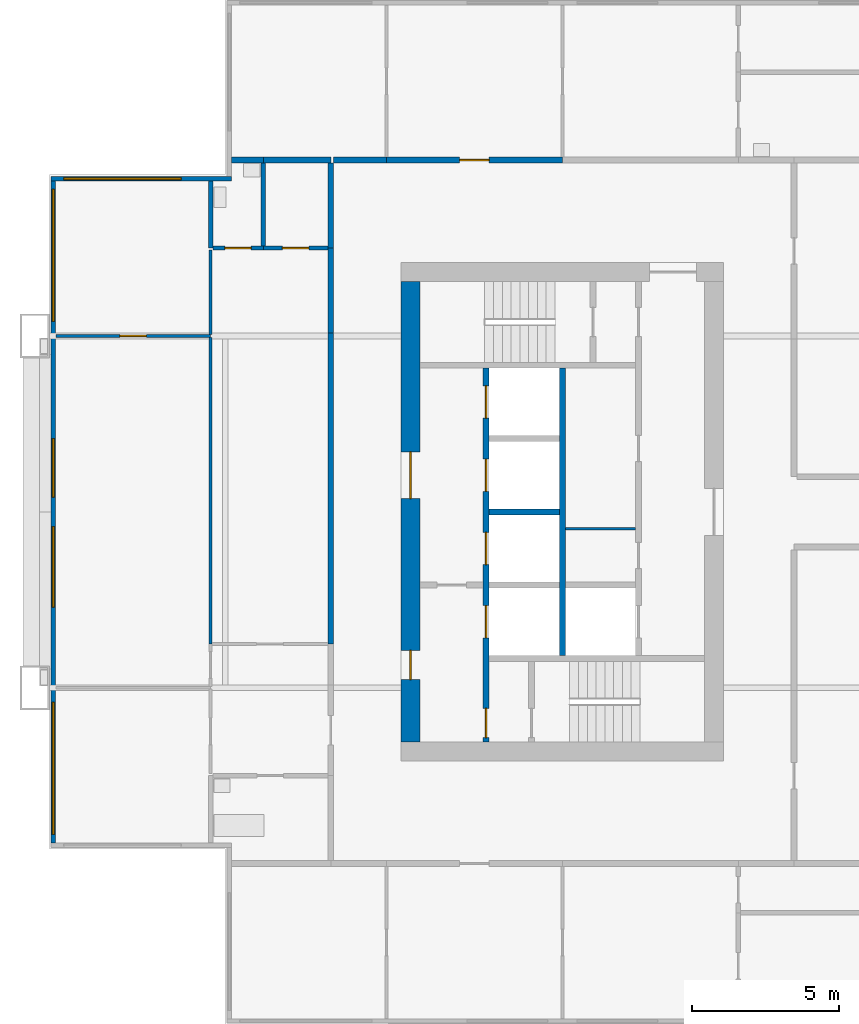
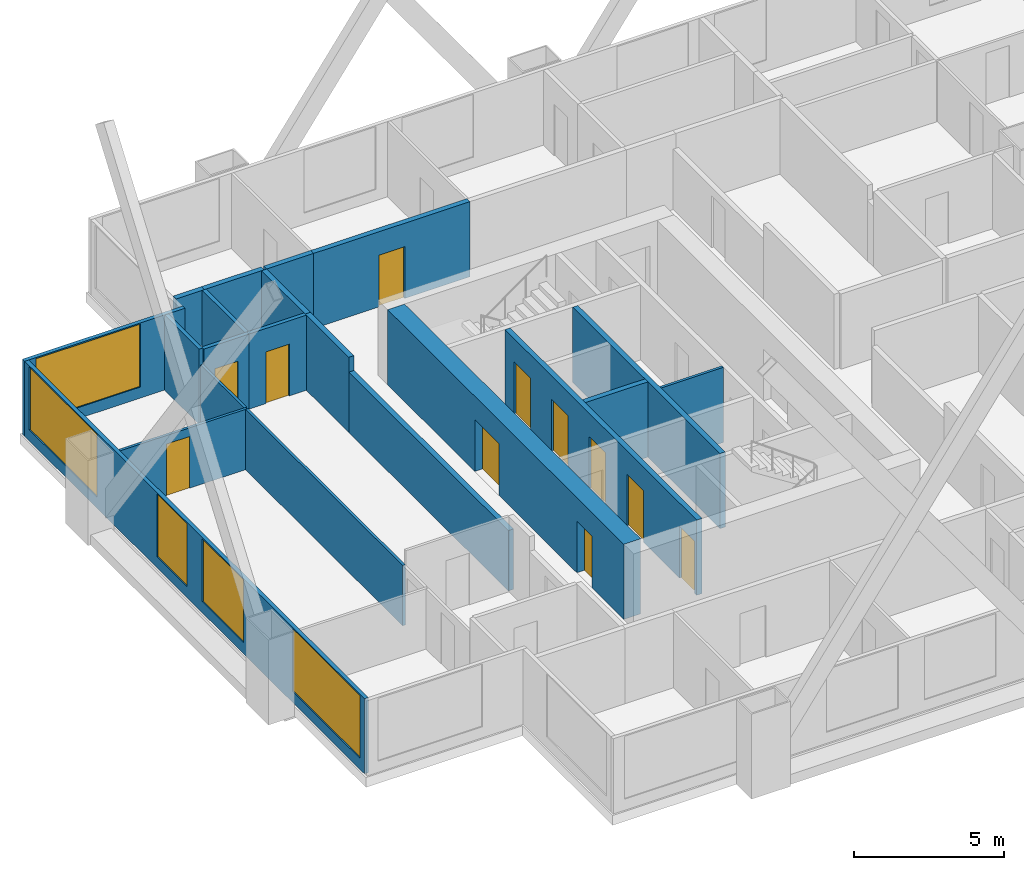
# One storey, part 3 of 11: 21 walls, 11 doors, 5 windows, 16 openings.
"""IFC4 building model written with IfcOpenShell, lengths in metres."""

from ifc_helpers import new_model, si_unit, direction, frame, frame_2d, origin, place, context, subcontext, project, spatial, rectangle, extrude, material, layer, layer_set, type_object, element, fill, save


model = new_model("IFC4")

# Units and contexts
model_context = context("Model", 3, precision=1e-05, world=origin(), true_north=direction((0.0, 1.0)))
body_context = subcontext(model_context, "Body", "Model", "MODEL_VIEW")
ifc_project = project(units=[si_unit("LENGTHUNIT", "METRE"), si_unit("AREAUNIT", "SQUARE_METRE"), si_unit("VOLUMEUNIT", "CUBIC_METRE"), si_unit("PLANEANGLEUNIT", "RADIAN"), si_unit("MASSUNIT", "GRAM", prefix="KILO")], contexts=[model_context])

# Site, building, storey
site_placement = place(None, origin())
site = spatial("IfcSite", under=ifc_project, at=site_placement, CompositionType="ELEMENT")
building_placement = place(site_placement, origin())
building = spatial("IfcBuilding", under=site, at=building_placement, Name="Kitamizu Gate Tower and Museum", CompositionType="ELEMENT")
storey_placement = place(building_placement, frame((0.0, 0.0, 113.85009765625)))
storey = spatial("IfcBuildingStorey", under=building, at=storey_placement, Name="L29", CompositionType="ELEMENT", Elevation=113.85009765625)

# Wall, openings, doors
ifc_material_1 = material(Name="Concrete Fc60", Category="concrete")
ifc_layer_1 = layer(ifc_material_1, 0.64990234375)
ifc_layer_set_1 = layer_set([ifc_layer_1], Name="Concrete Fc60")
wall_type_1 = type_object("IfcWallType", Name="Core wall 650", PredefinedType="SHEAR", material=ifc_layer_set_1)
wall_1_placement = place(storey_placement, frame((12.824951171875, 22.14990234375, 0.0), z_axis=(0.0, 0.0, 1.0), x_axis=(0.0, 1.0, 0.0)))
wall_1 = element("IfcWall", 1, at=wall_1_placement, inside=storey, type_object=wall_type_1, Name="Core wall WOUT", PredefinedType="SHEAR", context=body_context, shape_type="SweptSolid", body=[
    extrude(rectangle(XDim=15.7001953125, YDim=0.64990234375, at=frame_2d((7.85009765625, 0.0))), origin(), (0.0, 0.0, 1.0), 3.0498046875),
])
opening_1_placement = place(wall_1_placement, frame((8.300048828125, 0.0, 0.0)))
opening_1 = element("IfcOpeningElement", 2, at=opening_1_placement, cuts=wall_1, Name="Opening L29-058", PredefinedType="OPENING", context=body_context, shape_type="SweptSolid", body=[
    extrude(rectangle(XDim=1.60009765625, YDim=2.10009765625, at=frame_2d((0.800048828125, 1.050048828125))), frame((0.0, 0.3349609375, 0.0), z_axis=(0.0, -1.0, 0.0), x_axis=(1.0, 0.0, 0.0)), (0.0, 0.0, 1.0), 0.669921875),
])
opening_2_placement = place(wall_1_placement, frame((2.125, 0.0, 0.0)))
opening_2 = element("IfcOpeningElement", 3, at=opening_2_placement, cuts=wall_1, Name="Opening L29-059", PredefinedType="OPENING", context=body_context, shape_type="SweptSolid", body=[
    extrude(rectangle(XDim=1.0, YDim=2.10009765625, at=frame_2d((0.5, 1.050048828125))), frame((0.0, 0.3349609375, 0.0), z_axis=(0.0, -1.0, 0.0), x_axis=(1.0, 0.0, 0.0)), (0.0, 0.0, 1.0), 0.669921875),
])
ifc_material_2 = material(Name="Timber door set", Category="wood")
door_type_1 = type_object("IfcDoorType", Name="Entrance door 1600", OperationType="DOUBLE_DOOR_SINGLE_SWING", PredefinedType="DOOR", material=ifc_material_2)
door_1_placement = place(opening_1_placement, origin())
door_1 = element("IfcDoor", 4, at=door_1_placement, inside=storey, type_object=door_type_1, Name="Lobby door L29-058", OperationType="DOUBLE_DOOR_SINGLE_SWING", OverallHeight=2.10009765625, OverallWidth=1.60009765625, PredefinedType="DOOR", context=body_context, shape_type="SweptSolid", body=[
    extrude(rectangle(XDim=1.60009765625, YDim=2.10009765625, at=frame_2d((0.800048828125, 1.050048828125))), frame((0.0, 0.02490234375, 0.0), z_axis=(0.0, -1.0, 0.0), x_axis=(1.0, 0.0, 0.0)), (0.0, 0.0, 1.0), 0.050048828125),
])
fill(opening_1, door_1)
ifc_material_3 = material(Name="Hollow metal door set")
door_type_2 = type_object("IfcDoorType", Name="Fire door 1000", OperationType="NOTDEFINED", PredefinedType="DOOR", material=ifc_material_3)
door_2_placement = place(opening_2_placement, frame((1.0, 0.0, 0.0), x_axis=(-1.0, 0.0, 0.0)))
door_2 = element("IfcDoor", 5, at=door_2_placement, inside=storey, type_object=door_type_2, Name="Fire-fighting lobby door L29-059", OperationType="SINGLE_SWING_RIGHT", OverallHeight=2.10009765625, OverallWidth=1.0, PredefinedType="DOOR", context=body_context, shape_type="SweptSolid", body=[
    extrude(rectangle(XDim=1.0, YDim=2.10009765625, at=frame_2d((0.5, 1.050048828125))), frame((0.0, 0.02490234375, 0.0), z_axis=(0.0, -1.0, 0.0), x_axis=(1.0, 0.0, 0.0)), (0.0, 0.0, 1.0), 0.050048828125),
])
fill(opening_2, door_2)

# Wall
ifc_material_4 = material(Name="Gypsum board on galvanised stud")
ifc_layer_2 = layer(ifc_material_4, 0.10009765625)
ifc_layer_set_2 = layer_set([ifc_layer_2], Name="Gypsum board on galvanised stud")
wall_type_2 = type_object("IfcWallType", Name="Partition 100", PredefinedType="PARTITIONING", material=ifc_layer_set_2)
wall_2_placement = place(storey_placement, frame((18.10009765625, 29.425048828125, 0.0), z_axis=(0.0, 0.0, 1.0), x_axis=(1.0, 0.0, 0.0)))
element("IfcWall", 6, at=wall_2_placement, inside=storey, type_object=wall_type_2, Name="Partition WPF1", PredefinedType="PARTITIONING", context=body_context, shape_type="SweptSolid", body=[
    extrude(rectangle(XDim=2.39990234375, YDim=0.10009765625, at=frame_2d((1.199951171875, 0.0))), origin(), (0.0, 0.0, 1.0), 3.0498046875),
])

# Wall, opening, door
ifc_material_5 = material(Name="Gypsum board on galvanised stud")
ifc_layer_3 = layer(ifc_material_5, 0.10009765625)
ifc_layer_set_3 = layer_set([ifc_layer_3], Name="Gypsum board on galvanised stud")
wall_type_3 = type_object("IfcWallType", Name="Partition 100 NOT RATED", PredefinedType="PARTITIONING", material=ifc_layer_set_3)
wall_3_placement = place(storey_placement, frame((6.0, 36.0, 0.0), z_axis=(0.0, 0.0, 1.0), x_axis=(-1.0, 0.0, 0.0)))
wall_3 = element("IfcWall", 7, at=wall_3_placement, inside=storey, type_object=wall_type_3, Name="Partition L29-022", PredefinedType="PARTITIONING", context=body_context, shape_type="SweptSolid", body=[
    extrude(rectangle(XDim=5.280029296875, YDim=0.10009765625, at=frame_2d((2.64013671875, 0.0))), origin(), (0.0, 0.0, 1.0), 2.449951171875),
])
opening_3_placement = place(wall_3_placement, frame((2.18994140625, 0.0, 0.0)))
opening_3 = element("IfcOpeningElement", 8, at=opening_3_placement, cuts=wall_3, Name="Opening L29-010", PredefinedType="OPENING", context=body_context, shape_type="SweptSolid", body=[
    extrude(rectangle(XDim=0.89990234375, YDim=2.10009765625, at=frame_2d((0.449951171875, 1.050048828125))), frame((0.0, 0.06005859375, 0.0), z_axis=(0.0, -1.0, 0.0), x_axis=(1.0, 0.0, 0.0)), (0.0, 0.0, 1.0), 0.1201171875),
])
ifc_material_6 = material(Name="Timber door set", Category="wood")
door_type_3 = type_object("IfcDoorType", Name="Room door 900", OperationType="NOTDEFINED", PredefinedType="DOOR", material=ifc_material_6)
door_3_placement = place(opening_3_placement, frame((0.89990234375, 0.0, 0.0), x_axis=(-1.0, 0.0, 0.0)))
door_3 = element("IfcDoor", 9, at=door_3_placement, inside=storey, type_object=door_type_3, Name="Door L29-010", OperationType="SINGLE_SWING_LEFT", OverallHeight=2.10009765625, OverallWidth=0.89990234375, PredefinedType="DOOR", context=body_context, shape_type="SweptSolid", body=[
    extrude(rectangle(XDim=0.89990234375, YDim=2.10009765625, at=frame_2d((0.449951171875, 1.050048828125))), frame((0.0, 0.02490234375, 0.0), z_axis=(0.0, -1.0, 0.0), x_axis=(1.0, 0.0, 0.0)), (0.0, 0.0, 1.0), 0.050048828125),
])
fill(opening_3, door_3)

# Walls
wall_4_placement = place(storey_placement, frame((6.0, 25.5, 0.0), z_axis=(0.0, 0.0, 1.0), x_axis=(0.0, 1.0, 0.0)))
element("IfcWall", 10, at=wall_4_placement, inside=storey, type_object=wall_type_3, Name="Partition L29-024", PredefinedType="PARTITIONING", context=body_context, shape_type="SweptSolid", body=[
    extrude(rectangle(XDim=10.449951171875, YDim=0.10009765625, at=frame_2d((5.22509765625, 0.0))), origin(), (0.0, 0.0, 1.0), 2.449951171875),
])
wall_5_placement = place(storey_placement, frame((6.0, 36.050048828125, 0.0), z_axis=(0.0, 0.0, 1.0), x_axis=(0.0, 1.0, 0.0)))
element("IfcWall", 11, at=wall_5_placement, inside=storey, type_object=wall_type_3, Name="Partition L29-025", PredefinedType="PARTITIONING", context=body_context, shape_type="SweptSolid", body=[
    extrude(rectangle(XDim=2.875, YDim=0.10009765625, at=frame_2d((1.4375, 0.0))), origin(), (0.0, 0.0, 1.0), 2.449951171875),
])
ifc_material_7 = material(Name="Gypsum board on galvanised stud")
ifc_layer_4 = layer(ifc_material_7, 0.14990234375)
ifc_layer_set_4 = layer_set([ifc_layer_4], Name="Gypsum board on galvanised stud")
wall_type_4 = type_object("IfcWallType", Name="Partition 150", PredefinedType="PARTITIONING", material=ifc_layer_set_4)
wall_6_placement = place(storey_placement, frame((6.0, 39.0, 0.0), z_axis=(0.0, 0.0, 1.0), x_axis=(0.0, 1.0, 0.0)))
element("IfcWall", 12, at=wall_6_placement, inside=storey, type_object=wall_type_4, Name="Partition L29-026", PredefinedType="PARTITIONING", context=body_context, shape_type="SweptSolid", body=[
    extrude(rectangle(XDim=2.280029296875, YDim=0.14990234375, at=frame_2d((1.14013671875, 0.0))), origin(), (0.0, 0.0, 1.0), 3.0498046875),
])

# Wall, opening, door
wall_7_placement = place(storey_placement, frame((7.800048828125, 39.0, 0.0), z_axis=(0.0, 0.0, 1.0), x_axis=(-1.0, 0.0, 0.0)))
wall_7 = element("IfcWall", 13, at=wall_7_placement, inside=storey, type_object=wall_type_4, Name="Partition L29-032", PredefinedType="PARTITIONING", context=body_context, shape_type="SweptSolid", body=[
    extrude(rectangle(XDim=1.72509765625, YDim=0.14990234375, at=frame_2d((0.862548828125, 0.0))), origin(), (0.0, 0.0, 1.0), 3.0498046875),
])
opening_4_placement = place(wall_7_placement, frame((0.41259765625, 0.0, 0.0)))
opening_4 = element("IfcOpeningElement", 14, at=opening_4_placement, cuts=wall_7, Name="Opening L29-012", PredefinedType="OPENING", context=body_context, shape_type="SweptSolid", body=[
    extrude(rectangle(XDim=0.89990234375, YDim=2.10009765625, at=frame_2d((0.449951171875, 1.050048828125))), frame((0.0, 0.0849609375, 0.0), z_axis=(0.0, -1.0, 0.0), x_axis=(1.0, 0.0, 0.0)), (0.0, 0.0, 1.0), 0.169921875),
])
ifc_material_8 = material(Name="Timber door set", Category="wood")
door_type_4 = type_object("IfcDoorType", Name="Bathroom door 900", OperationType="NOTDEFINED", PredefinedType="DOOR", material=ifc_material_8)
door_4_placement = place(opening_4_placement, frame((0.89990234375, 0.0, 0.0), x_axis=(-1.0, 0.0, 0.0)))
door_4 = element("IfcDoor", 15, at=door_4_placement, inside=storey, type_object=door_type_4, Name="Bathroom door L29-012", OperationType="SINGLE_SWING_LEFT", OverallHeight=2.10009765625, OverallWidth=0.89990234375, PredefinedType="DOOR", context=body_context, shape_type="SweptSolid", body=[
    extrude(rectangle(XDim=0.89990234375, YDim=2.10009765625, at=frame_2d((0.449951171875, 1.050048828125))), frame((0.0, 0.02490234375, 0.0), z_axis=(0.0, -1.0, 0.0), x_axis=(1.0, 0.0, 0.0)), (0.0, 0.0, 1.0), 0.050048828125),
])
fill(opening_4, door_4)

wall_8_placement = place(storey_placement, frame((10.0, 39.0, 0.0), z_axis=(0.0, 0.0, 1.0), x_axis=(-1.0, 0.0, 0.0)))
wall_8 = element("IfcWall", 16, at=wall_8_placement, inside=storey, type_object=wall_type_4, Name="Partition L29-033", PredefinedType="PARTITIONING", context=body_context, shape_type="SweptSolid", body=[
    extrude(rectangle(XDim=2.199951171875, YDim=0.14990234375, at=frame_2d((1.10009765625, 0.0))), origin(), (0.0, 0.0, 1.0), 3.0498046875),
])
opening_5_placement = place(wall_8_placement, frame((0.64990234375, 0.0, 0.0)))
opening_5 = element("IfcOpeningElement", 17, at=opening_5_placement, cuts=wall_8, Name="Opening L29-013", PredefinedType="OPENING", context=body_context, shape_type="SweptSolid", body=[
    extrude(rectangle(XDim=0.89990234375, YDim=2.10009765625, at=frame_2d((0.449951171875, 1.050048828125))), frame((0.0, 0.0849609375, 0.0), z_axis=(0.0, -1.0, 0.0), x_axis=(1.0, 0.0, 0.0)), (0.0, 0.0, 1.0), 0.169921875),
])
door_5_placement = place(opening_5_placement, frame((0.89990234375, 0.0, 0.0), x_axis=(-1.0, 0.0, 0.0)))
door_5 = element("IfcDoor", 18, at=door_5_placement, inside=storey, type_object=door_type_4, Name="Bathroom door L29-013", OperationType="SINGLE_SWING_RIGHT", OverallHeight=2.10009765625, OverallWidth=0.89990234375, PredefinedType="DOOR", context=body_context, shape_type="SweptSolid", body=[
    extrude(rectangle(XDim=0.89990234375, YDim=2.10009765625, at=frame_2d((0.449951171875, 1.050048828125))), frame((0.0, 0.02490234375, 0.0), z_axis=(0.0, -1.0, 0.0), x_axis=(1.0, 0.0, 0.0)), (0.0, 0.0, 1.0), 0.050048828125),
])
fill(opening_5, door_5)

# Walls
wall_9_placement = place(storey_placement, frame((7.800048828125, 39.074951171875, 0.0), z_axis=(0.0, 0.0, 1.0), x_axis=(0.0, 1.0, 0.0)))
element("IfcWall", 19, at=wall_9_placement, inside=storey, type_object=wall_type_4, Name="Partition L29-036", PredefinedType="PARTITIONING", context=body_context, shape_type="SweptSolid", body=[
    extrude(rectangle(XDim=2.824951171875, YDim=0.14990234375, at=frame_2d((1.41259765625, 0.0))), origin(), (0.0, 0.0, 1.0), 3.0498046875),
])
ifc_material_9 = material(Name="Gypsum board on galvanised stud")
ifc_layer_5 = layer(ifc_material_9, 0.199951171875)
ifc_layer_set_5 = layer_set([ifc_layer_5], Name="Gypsum board on galvanised stud")
wall_type_5 = type_object("IfcWallType", Name="Partition 200", PredefinedType="PARTITIONING", material=ifc_layer_set_5)
wall_10_placement = place(storey_placement, frame((10.10009765625, 25.5, 0.0), z_axis=(0.0, 0.0, 1.0), x_axis=(0.0, 1.0, 0.0)))
element("IfcWall", 20, at=wall_10_placement, inside=storey, type_object=wall_type_5, Name="Partition L29-034", PredefinedType="PARTITIONING", context=body_context, shape_type="SweptSolid", body=[
    extrude(rectangle(XDim=10.60009765625, YDim=0.199951171875, at=frame_2d((5.300048828125, 0.0))), origin(), (0.0, 0.0, 1.0), 2.449951171875),
])
wall_11_placement = place(storey_placement, frame((10.10009765625, 36.10009765625, 0.0), z_axis=(0.0, 0.0, 1.0), x_axis=(0.0, 1.0, 0.0)))
element("IfcWall", 21, at=wall_11_placement, inside=storey, type_object=wall_type_5, Name="Partition L29-035", PredefinedType="PARTITIONING", context=body_context, shape_type="SweptSolid", body=[
    extrude(rectangle(XDim=2.89990234375, YDim=0.199951171875, at=frame_2d((1.449951171875, 0.0))), origin(), (0.0, 0.0, 1.0), 3.0498046875),
])
wall_12_placement = place(storey_placement, frame((7.800048828125, 42.0, 0.0), z_axis=(0.0, 0.0, 1.0), x_axis=(-1.0, 0.0, 0.0)))
element("IfcWall", 22, at=wall_12_placement, inside=storey, type_object=wall_type_5, Name="Partition L29-037", PredefinedType="PARTITIONING", context=body_context, shape_type="SweptSolid", body=[
    extrude(rectangle(XDim=1.080078125, YDim=0.199951171875, at=frame_2d((0.5400390625, 0.0))), origin(), (0.0, 0.0, 1.0), 3.0498046875),
])
wall_13_placement = place(storey_placement, frame((10.10009765625, 42.0, 0.0), z_axis=(0.0, 0.0, 1.0), x_axis=(-1.0, 0.0, 0.0)))
element("IfcWall", 23, at=wall_13_placement, inside=storey, type_object=wall_type_5, Name="Partition L29-038", PredefinedType="PARTITIONING", context=body_context, shape_type="SweptSolid", body=[
    extrude(rectangle(XDim=2.300048828125, YDim=0.199951171875, at=frame_2d((1.14990234375, 0.0))), origin(), (0.0, 0.0, 1.0), 3.0498046875),
])
wall_14_placement = place(storey_placement, frame((10.10009765625, 39.0, 0.0), z_axis=(0.0, 0.0, 1.0), x_axis=(0.0, 1.0, 0.0)))
element("IfcWall", 24, at=wall_14_placement, inside=storey, type_object=wall_type_5, Name="Partition L29-039", PredefinedType="PARTITIONING", context=body_context, shape_type="SweptSolid", body=[
    extrude(rectangle(XDim=2.89990234375, YDim=0.199951171875, at=frame_2d((1.449951171875, 0.0))), origin(), (0.0, 0.0, 1.0), 3.0498046875),
])
wall_15_placement = place(storey_placement, frame((10.199951171875, 42.0, 0.0), z_axis=(0.0, 0.0, 1.0), x_axis=(1.0, 0.0, 0.0)))
element("IfcWall", 25, at=wall_15_placement, inside=storey, type_object=wall_type_5, Name="Partition L29-089", PredefinedType="PARTITIONING", context=body_context, shape_type="SweptSolid", body=[
    extrude(rectangle(XDim=1.800048828125, YDim=0.199951171875, at=frame_2d((0.89990234375, 0.0))), origin(), (0.0, 0.0, 1.0), 3.0498046875),
])

# Wall, opening, door
wall_16_placement = place(storey_placement, frame((12.0, 42.0, 0.0), z_axis=(0.0, 0.0, 1.0), x_axis=(1.0, 0.0, 0.0)))
wall_16 = element("IfcWall", 26, at=wall_16_placement, inside=storey, type_object=wall_type_5, Name="Partition L29-091", PredefinedType="PARTITIONING", context=body_context, shape_type="SweptSolid", body=[
    extrude(rectangle(XDim=6.0, YDim=0.199951171875, at=frame_2d((3.0, 0.0))), origin(), (0.0, 0.0, 1.0), 3.0498046875),
])
opening_6_placement = place(wall_16_placement, frame((2.5, 0.0, 0.0)))
opening_6 = element("IfcOpeningElement", 27, at=opening_6_placement, cuts=wall_16, Name="Opening L29-034", PredefinedType="OPENING", context=body_context, shape_type="SweptSolid", body=[
    extrude(rectangle(XDim=1.0, YDim=2.10009765625, at=frame_2d((0.5, 1.050048828125))), frame((0.0, 0.10986328125, 0.0), z_axis=(0.0, -1.0, 0.0), x_axis=(1.0, 0.0, 0.0)), (0.0, 0.0, 1.0), 0.219970703125),
])
ifc_material_10 = material(Name="Timber door set", Category="wood")
door_type_5 = type_object("IfcDoorType", Name="Flat entrance door 1000", OperationType="NOTDEFINED", PredefinedType="DOOR", material=ifc_material_10)
door_6_placement = place(opening_6_placement, origin())
door_6 = element("IfcDoor", 28, at=door_6_placement, inside=storey, type_object=door_type_5, Name="Flat entrance door L29-034", OperationType="SINGLE_SWING_LEFT", OverallHeight=2.10009765625, OverallWidth=1.0, PredefinedType="DOOR", context=body_context, shape_type="SweptSolid", body=[
    extrude(rectangle(XDim=1.0, YDim=2.10009765625, at=frame_2d((0.5, 1.050048828125))), frame((0.0, 0.02490234375, 0.0), z_axis=(0.0, -1.0, 0.0), x_axis=(1.0, 0.0, 0.0)), (0.0, 0.0, 1.0), 0.050048828125),
])
fill(opening_6, door_6)

# Wall, openings, doors
ifc_material_11 = material(Name="Concrete Fc42", Category="concrete")
ifc_layer_6 = layer(ifc_material_11, 0.199951171875)
ifc_layer_set_6 = layer_set([ifc_layer_6], Name="Concrete Fc42")
wall_type_6 = type_object("IfcWallType", Name="Shaft wall 200", PredefinedType="SOLIDWALL", material=ifc_layer_set_6)
wall_17_placement = place(storey_placement, frame((15.39990234375, 22.14990234375, 0.0), z_axis=(0.0, 0.0, 1.0), x_axis=(0.0, 1.0, 0.0)))
wall_17 = element("IfcWall", 29, at=wall_17_placement, inside=storey, type_object=wall_type_6, Name="Shaft wall WWEST", PredefinedType="SOLIDWALL", context=body_context, shape_type="SweptSolid", body=[
    extrude(rectangle(XDim=12.75, YDim=0.199951171875, at=frame_2d((6.375, 0.0))), origin(), (0.0, 0.0, 1.0), 3.0498046875),
])
opening_7_placement = place(wall_17_placement, frame((3.550048828125, 0.0, 0.0)))
opening_7 = element("IfcOpeningElement", 30, at=opening_7_placement, cuts=wall_17, Name="Opening LD", PredefinedType="OPENING", context=body_context, shape_type="SweptSolid", body=[
    extrude(rectangle(XDim=1.10009765625, YDim=2.10009765625, at=frame_2d((0.550048828125, 1.050048828125))), frame((0.0, 0.10986328125, 0.0), z_axis=(0.0, -1.0, 0.0), x_axis=(1.0, 0.0, 0.0)), (0.0, 0.0, 1.0), 0.219970703125),
])
opening_8_placement = place(wall_17_placement, frame((6.050048828125, 0.0, 0.0)))
opening_8 = element("IfcOpeningElement", 31, at=opening_8_placement, cuts=wall_17, Name="Opening LD", PredefinedType="OPENING", context=body_context, shape_type="SweptSolid", body=[
    extrude(rectangle(XDim=1.10009765625, YDim=2.10009765625, at=frame_2d((0.550048828125, 1.050048828125))), frame((0.0, 0.10986328125, 0.0), z_axis=(0.0, -1.0, 0.0), x_axis=(1.0, 0.0, 0.0)), (0.0, 0.0, 1.0), 0.219970703125),
])
opening_9_placement = place(wall_17_placement, frame((8.550048828125, 0.0, 0.0)))
opening_9 = element("IfcOpeningElement", 32, at=opening_9_placement, cuts=wall_17, Name="Opening LD", PredefinedType="OPENING", context=body_context, shape_type="SweptSolid", body=[
    extrude(rectangle(XDim=1.10009765625, YDim=2.10009765625, at=frame_2d((0.550048828125, 1.050048828125))), frame((0.0, 0.10986328125, 0.0), z_axis=(0.0, -1.0, 0.0), x_axis=(1.0, 0.0, 0.0)), (0.0, 0.0, 1.0), 0.219970703125),
])
opening_10_placement = place(wall_17_placement, frame((11.050048828125, 0.0, 0.0)))
opening_10 = element("IfcOpeningElement", 33, at=opening_10_placement, cuts=wall_17, Name="Opening LD", PredefinedType="OPENING", context=body_context, shape_type="SweptSolid", body=[
    extrude(rectangle(XDim=1.10009765625, YDim=2.10009765625, at=frame_2d((0.550048828125, 1.050048828125))), frame((0.0, 0.10986328125, 0.0), z_axis=(0.0, -1.0, 0.0), x_axis=(1.0, 0.0, 0.0)), (0.0, 0.0, 1.0), 0.219970703125),
])
opening_11_placement = place(wall_17_placement, frame((0.14990234375, 0.0, 0.0)))
opening_11 = element("IfcOpeningElement", 34, at=opening_11_placement, cuts=wall_17, Name="Opening L29-054", PredefinedType="OPENING", context=body_context, shape_type="SweptSolid", body=[
    extrude(rectangle(XDim=1.0, YDim=2.10009765625, at=frame_2d((0.5, 1.050048828125))), frame((0.0, 0.10986328125, 0.0), z_axis=(0.0, -1.0, 0.0), x_axis=(1.0, 0.0, 0.0)), (0.0, 0.0, 1.0), 0.219970703125),
])
door_7_placement = place(opening_11_placement, frame((1.0, 0.0, 0.0), x_axis=(-1.0, 0.0, 0.0)))
door_7 = element("IfcDoor", 35, at=door_7_placement, inside=storey, type_object=door_type_2, Name="Stair lobby door L29-054", OperationType="SINGLE_SWING_LEFT", OverallHeight=2.10009765625, OverallWidth=1.0, PredefinedType="DOOR", context=body_context, shape_type="SweptSolid", body=[
    extrude(rectangle(XDim=1.0, YDim=2.10009765625, at=frame_2d((0.5, 1.050048828125))), frame((0.0, 0.02490234375, 0.0), z_axis=(0.0, -1.0, 0.0), x_axis=(1.0, 0.0, 0.0)), (0.0, 0.0, 1.0), 0.050048828125),
])
fill(opening_11, door_7)
ifc_material_12 = material(Name="Hollow metal door set")
door_type_6 = type_object("IfcDoorType", Name="Landing door 1100", OperationType="SLIDING_TO_LEFT", PredefinedType="DOOR", material=ifc_material_12)
door_8_placement = place(opening_7_placement, origin())
door_8 = element("IfcDoor", 36, at=door_8_placement, inside=storey, type_object=door_type_6, Name="Landing door WFF1", OperationType="SLIDING_TO_LEFT", OverallHeight=2.10009765625, OverallWidth=1.10009765625, PredefinedType="DOOR", context=body_context, shape_type="SweptSolid", body=[
    extrude(rectangle(XDim=1.10009765625, YDim=2.10009765625, at=frame_2d((0.550048828125, 1.050048828125))), frame((0.0, 0.02490234375, 0.0), z_axis=(0.0, -1.0, 0.0), x_axis=(1.0, 0.0, 0.0)), (0.0, 0.0, 1.0), 0.050048828125),
])
fill(opening_7, door_8)
door_9_placement = place(opening_8_placement, origin())
door_9 = element("IfcDoor", 37, at=door_9_placement, inside=storey, type_object=door_type_6, Name="Landing door WL1", OperationType="SLIDING_TO_LEFT", OverallHeight=2.10009765625, OverallWidth=1.10009765625, PredefinedType="DOOR", context=body_context, shape_type="SweptSolid", body=[
    extrude(rectangle(XDim=1.10009765625, YDim=2.10009765625, at=frame_2d((0.550048828125, 1.050048828125))), frame((0.0, 0.02490234375, 0.0), z_axis=(0.0, -1.0, 0.0), x_axis=(1.0, 0.0, 0.0)), (0.0, 0.0, 1.0), 0.050048828125),
])
fill(opening_8, door_9)
door_10_placement = place(opening_9_placement, origin())
door_10 = element("IfcDoor", 38, at=door_10_placement, inside=storey, type_object=door_type_6, Name="Landing door WL2", OperationType="SLIDING_TO_LEFT", OverallHeight=2.10009765625, OverallWidth=1.10009765625, PredefinedType="DOOR", context=body_context, shape_type="SweptSolid", body=[
    extrude(rectangle(XDim=1.10009765625, YDim=2.10009765625, at=frame_2d((0.550048828125, 1.050048828125))), frame((0.0, 0.02490234375, 0.0), z_axis=(0.0, -1.0, 0.0), x_axis=(1.0, 0.0, 0.0)), (0.0, 0.0, 1.0), 0.050048828125),
])
fill(opening_9, door_10)
door_11_placement = place(opening_10_placement, origin())
door_11 = element("IfcDoor", 39, at=door_11_placement, inside=storey, type_object=door_type_6, Name="Landing door WL3", OperationType="SLIDING_TO_LEFT", OverallHeight=2.10009765625, OverallWidth=1.10009765625, PredefinedType="DOOR", context=body_context, shape_type="SweptSolid", body=[
    extrude(rectangle(XDim=1.10009765625, YDim=2.10009765625, at=frame_2d((0.550048828125, 1.050048828125))), frame((0.0, 0.02490234375, 0.0), z_axis=(0.0, -1.0, 0.0), x_axis=(1.0, 0.0, 0.0)), (0.0, 0.0, 1.0), 0.050048828125),
])
fill(opening_10, door_11)

# Walls
wall_18_placement = place(storey_placement, frame((18.0, 25.10009765625, 0.0), z_axis=(0.0, 0.0, 1.0), x_axis=(0.0, 1.0, 0.0)))
element("IfcWall", 40, at=wall_18_placement, inside=storey, type_object=wall_type_6, Name="Shaft wall WMID", PredefinedType="SOLIDWALL", context=body_context, shape_type="SweptSolid", body=[
    extrude(rectangle(XDim=9.7998046875, YDim=0.199951171875, at=frame_2d((4.89990234375, 0.0))), origin(), (0.0, 0.0, 1.0), 3.0498046875),
])
wall_19_placement = place(storey_placement, frame((15.5, 30.0, 0.0), z_axis=(0.0, 0.0, 1.0), x_axis=(1.0, 0.0, 0.0)))
element("IfcWall", 41, at=wall_19_placement, inside=storey, type_object=wall_type_6, Name="Shaft wall WDVW1", PredefinedType="SOLIDWALL", context=body_context, shape_type="SweptSolid", body=[
    extrude(rectangle(XDim=2.39990234375, YDim=0.199951171875, at=frame_2d((1.199951171875, 0.0))), origin(), (0.0, 0.0, 1.0), 3.0498046875),
])

# Wall, opening, window
ifc_material_13 = material(Name="Bronze anodised aluminium frame with insulated spandrel and tinted glass", Category="aluminium")
ifc_layer_7 = layer(ifc_material_13, 0.14990234375)
ifc_layer_set_7 = layer_set([ifc_layer_7], Name="Bronze anodised aluminium frame with insulated spandrel and tinted glass")
wall_type_7 = type_object("IfcWallType", Name="WINDOW WALL 150 BRONZE FRAME EI 30", PredefinedType="ELEMENTEDWALL", material=ifc_layer_set_7)
wall_20_placement = place(storey_placement, frame((0.56005859375, 41.364990234375, 0.0), z_axis=(0.0, 0.0, 1.0), x_axis=(1.0, 0.0, 0.0)))
wall_20 = element("IfcWall", 42, at=wall_20_placement, inside=storey, type_object=wall_type_7, Name="Window wall north L29", PredefinedType="ELEMENTEDWALL", context=body_context, shape_type="SweptSolid", body=[
    extrude(rectangle(XDim=6.14990234375, YDim=0.14990234375, at=frame_2d((3.074951171875, 0.0))), origin(), (0.0, 0.0, 1.0), 3.0498046875),
])
opening_12_placement = place(wall_20_placement, frame((0.43994140625, 0.0, 0.449951171875)))
opening_12 = element("IfcOpeningElement", 43, at=opening_12_placement, cuts=wall_20, Name="Opening W16", PredefinedType="OPENING", context=body_context, shape_type="SweptSolid", body=[
    extrude(rectangle(XDim=4.0, YDim=2.550048828125, at=frame_2d((2.0, 1.27490234375))), frame((0.0, 0.0849609375, 0.0), z_axis=(0.0, -1.0, 0.0), x_axis=(1.0, 0.0, 0.0)), (0.0, 0.0, 1.0), 0.169921875),
])
ifc_material_14 = material(Name="Bronze anodised aluminium frame, tinted triple glazing", Category="aluminium")
window_type_1 = type_object("IfcWindowType", Name="WINDOW 4000 x 2550 SILL 450", PartitioningType="SINGLE_PANEL", PredefinedType="WINDOW", material=ifc_material_14)
window_1_placement = place(opening_12_placement, origin())
window_1 = element("IfcWindow", 44, at=window_1_placement, inside=storey, type_object=window_type_1, Name="Window W16 L29", OverallHeight=2.550048828125, OverallWidth=4.0, PartitioningType="SINGLE_PANEL", PredefinedType="WINDOW", context=body_context, shape_type="SweptSolid", body=[
    extrude(rectangle(XDim=4.0, YDim=2.550048828125, at=frame_2d((2.0, 1.27490234375))), frame((0.0, 0.030029296875, 0.0), z_axis=(0.0, -1.0, 0.0), x_axis=(1.0, 0.0, 0.0)), (0.0, 0.0, 1.0), 0.06005859375),
])
fill(opening_12, window_1)

# Wall, openings, windows
wall_21_placement = place(storey_placement, frame((0.635009765625, 18.7099609375, 0.0), z_axis=(0.0, 0.0, 1.0), x_axis=(0.0, 1.0, 0.0)))
wall_21 = element("IfcWall", 45, at=wall_21_placement, inside=storey, type_object=wall_type_7, Name="Window wall west L29", PredefinedType="ELEMENTEDWALL", context=body_context, shape_type="SweptSolid", body=[
    extrude(rectangle(XDim=22.580078125, YDim=0.14990234375, at=frame_2d((11.2900390625, 0.0))), origin(), (0.0, 0.0, 1.0), 3.0498046875),
])
opening_13_placement = place(wall_21_placement, frame((0.2900390625, 0.0, 0.449951171875)))
opening_13 = element("IfcOpeningElement", 46, at=opening_13_placement, cuts=wall_21, Name="Opening W15", PredefinedType="OPENING", context=body_context, shape_type="SweptSolid", body=[
    extrude(rectangle(XDim=4.5, YDim=2.550048828125, at=frame_2d((2.25, 1.27490234375))), frame((0.0, 0.0849609375, 0.0), z_axis=(0.0, -1.0, 0.0), x_axis=(1.0, 0.0, 0.0)), (0.0, 0.0, 1.0), 0.169921875),
])
opening_14_placement = place(wall_21_placement, frame((8.0400390625, 0.0, 0.449951171875)))
opening_14 = element("IfcOpeningElement", 47, at=opening_14_placement, cuts=wall_21, Name="Opening W32", PredefinedType="OPENING", context=body_context, shape_type="SweptSolid", body=[
    extrude(rectangle(XDim=2.75, YDim=2.550048828125, at=frame_2d((1.375, 1.27490234375))), frame((0.0, 0.0849609375, 0.0), z_axis=(0.0, -1.0, 0.0), x_axis=(1.0, 0.0, 0.0)), (0.0, 0.0, 1.0), 0.169921875),
])
opening_15_placement = place(wall_21_placement, frame((11.7900390625, 0.0, 0.449951171875)))
opening_15 = element("IfcOpeningElement", 48, at=opening_15_placement, cuts=wall_21, Name="Opening W2", PredefinedType="OPENING", context=body_context, shape_type="SweptSolid", body=[
    extrude(rectangle(XDim=2.0, YDim=2.550048828125, at=frame_2d((1.0, 1.27490234375))), frame((0.0, 0.0849609375, 0.0), z_axis=(0.0, -1.0, 0.0), x_axis=(1.0, 0.0, 0.0)), (0.0, 0.0, 1.0), 0.169921875),
])
opening_16_placement = place(wall_21_placement, frame((17.7900390625, 0.0, 0.449951171875)))
opening_16 = element("IfcOpeningElement", 49, at=opening_16_placement, cuts=wall_21, Name="Opening W15", PredefinedType="OPENING", context=body_context, shape_type="SweptSolid", body=[
    extrude(rectangle(XDim=4.5, YDim=2.550048828125, at=frame_2d((2.25, 1.27490234375))), frame((0.0, 0.0849609375, 0.0), z_axis=(0.0, -1.0, 0.0), x_axis=(1.0, 0.0, 0.0)), (0.0, 0.0, 1.0), 0.169921875),
])
ifc_material_15 = material(Name="Bronze anodised aluminium frame, tinted triple glazing", Category="aluminium")
window_type_2 = type_object("IfcWindowType", Name="WINDOW 2000 x 2550 SILL 450", PartitioningType="SINGLE_PANEL", PredefinedType="WINDOW", material=ifc_material_15)
window_2_placement = place(opening_15_placement, origin())
window_2 = element("IfcWindow", 50, at=window_2_placement, inside=storey, type_object=window_type_2, Name="Window W2 L29", OverallHeight=2.550048828125, OverallWidth=2.0, PartitioningType="SINGLE_PANEL", PredefinedType="WINDOW", context=body_context, shape_type="SweptSolid", body=[
    extrude(rectangle(XDim=2.0, YDim=2.550048828125, at=frame_2d((1.0, 1.27490234375))), frame((0.0, 0.030029296875, 0.0), z_axis=(0.0, -1.0, 0.0), x_axis=(1.0, 0.0, 0.0)), (0.0, 0.0, 1.0), 0.06005859375),
])
fill(opening_15, window_2)
ifc_material_16 = material(Name="Bronze anodised aluminium frame, tinted triple glazing", Category="aluminium")
window_type_3 = type_object("IfcWindowType", Name="WINDOW 2750 x 2550 SILL 450", PartitioningType="SINGLE_PANEL", PredefinedType="WINDOW", material=ifc_material_16)
window_3_placement = place(opening_14_placement, origin())
window_3 = element("IfcWindow", 51, at=window_3_placement, inside=storey, type_object=window_type_3, Name="Window W32 L29", OverallHeight=2.550048828125, OverallWidth=2.75, PartitioningType="SINGLE_PANEL", PredefinedType="WINDOW", context=body_context, shape_type="SweptSolid", body=[
    extrude(rectangle(XDim=2.75, YDim=2.550048828125, at=frame_2d((1.375, 1.27490234375))), frame((0.0, 0.030029296875, 0.0), z_axis=(0.0, -1.0, 0.0), x_axis=(1.0, 0.0, 0.0)), (0.0, 0.0, 1.0), 0.06005859375),
])
fill(opening_14, window_3)
ifc_material_17 = material(Name="Bronze anodised aluminium frame, tinted triple glazing", Category="aluminium")
window_type_4 = type_object("IfcWindowType", Name="WINDOW 4500 x 2550 SILL 450", PartitioningType="SINGLE_PANEL", PredefinedType="WINDOW", material=ifc_material_17)
window_4_placement = place(opening_13_placement, origin())
window_4 = element("IfcWindow", 52, at=window_4_placement, inside=storey, type_object=window_type_4, Name="Window W15 L29", OverallHeight=2.550048828125, OverallWidth=4.5, PartitioningType="SINGLE_PANEL", PredefinedType="WINDOW", context=body_context, shape_type="SweptSolid", body=[
    extrude(rectangle(XDim=4.5, YDim=2.550048828125, at=frame_2d((2.25, 1.27490234375))), frame((0.0, 0.030029296875, 0.0), z_axis=(0.0, -1.0, 0.0), x_axis=(1.0, 0.0, 0.0)), (0.0, 0.0, 1.0), 0.06005859375),
])
fill(opening_13, window_4)
window_5_placement = place(opening_16_placement, origin())
window_5 = element("IfcWindow", 53, at=window_5_placement, inside=storey, type_object=window_type_4, Name="Window W15 L29", OverallHeight=2.550048828125, OverallWidth=4.5, PartitioningType="SINGLE_PANEL", PredefinedType="WINDOW", context=body_context, shape_type="SweptSolid", body=[
    extrude(rectangle(XDim=4.5, YDim=2.550048828125, at=frame_2d((2.25, 1.27490234375))), frame((0.0, 0.030029296875, 0.0), z_axis=(0.0, -1.0, 0.0), x_axis=(1.0, 0.0, 0.0)), (0.0, 0.0, 1.0), 0.06005859375),
])
fill(opening_16, window_5)

save(model, "model.ifc")
